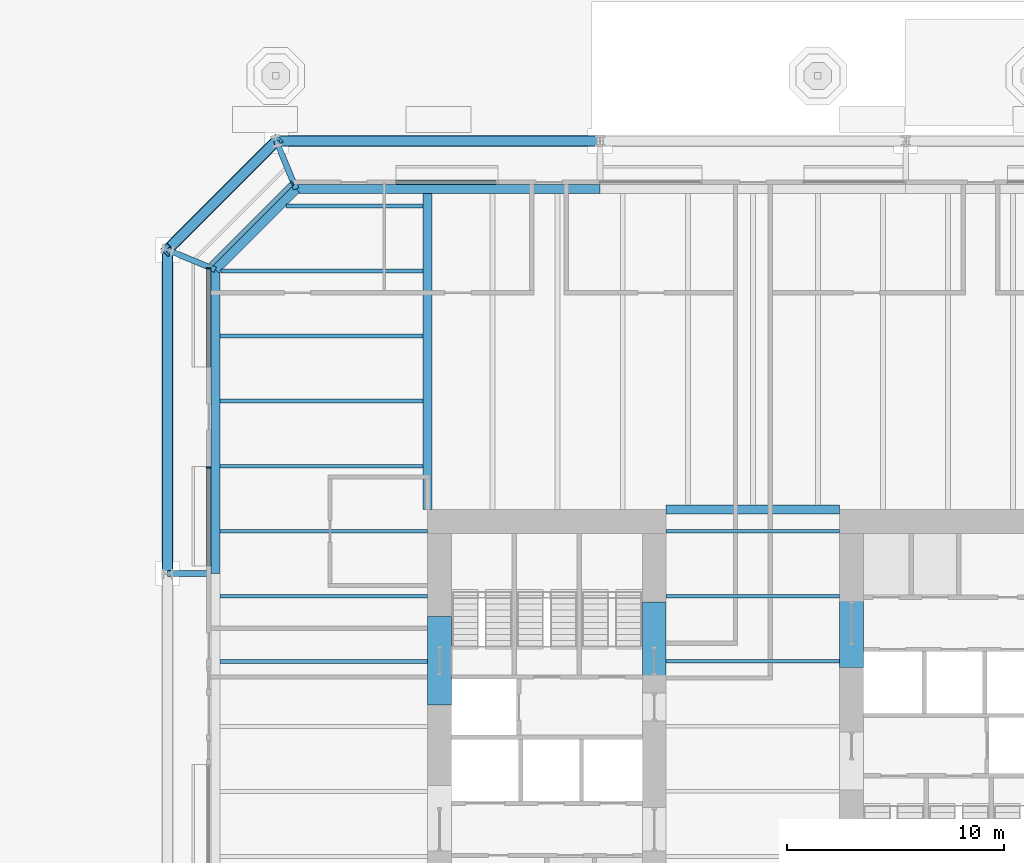
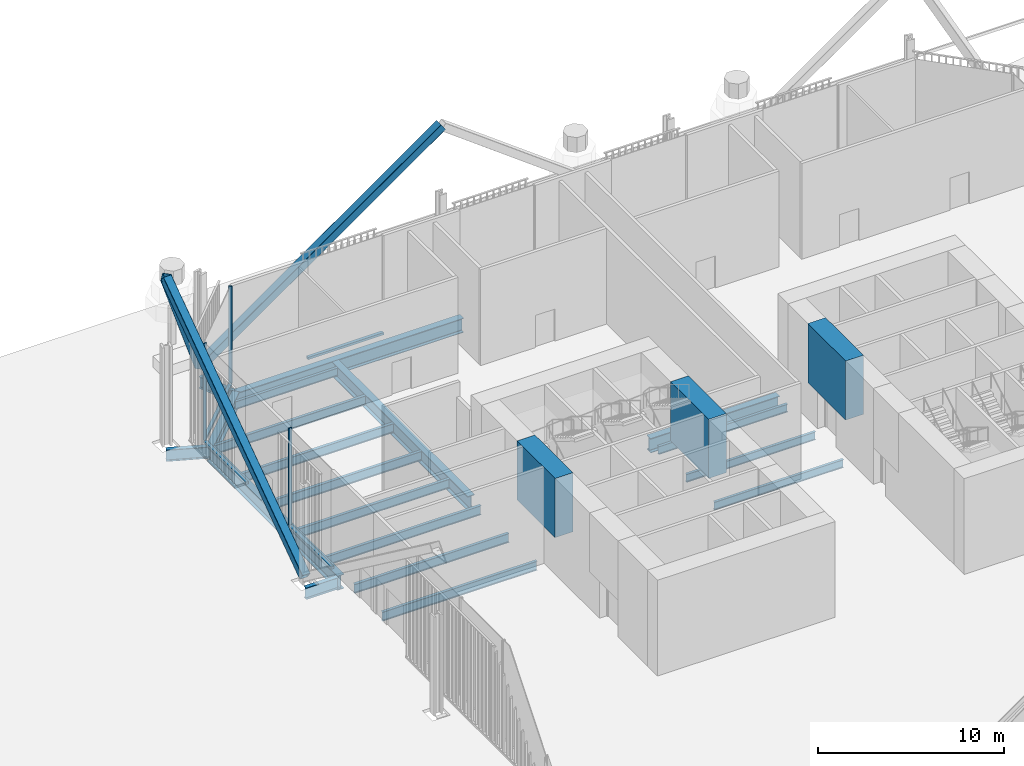
# One storey, part 9 of 28: 22 beams, 10 members, 3 elements without a shape of their own.
"""IFC4 building model written with IfcOpenShell, lengths in metres."""

from ifc_helpers import new_model, si_unit, direction, frame, origin, origin_2d, place, context, subcontext, project, spatial, rectangle, hollow_rectangle, i_section, extrude, material, layer, layer_set, material_profile, profile_set, type_object, element, aggregate, save


model = new_model("IFC4")

# Units and contexts
model_context = context("Model", 3, precision=1e-05, world=origin(), true_north=direction((0.0, 1.0)))
body_context = subcontext(model_context, "Body", "Model", "MODEL_VIEW")
ifc_project = project(units=[si_unit("LENGTHUNIT", "METRE"), si_unit("AREAUNIT", "SQUARE_METRE"), si_unit("VOLUMEUNIT", "CUBIC_METRE"), si_unit("PLANEANGLEUNIT", "RADIAN"), si_unit("MASSUNIT", "GRAM", prefix="KILO")], contexts=[model_context])

# Site, building, storey
site_placement = place(None, origin())
site = spatial("IfcSite", under=ifc_project, at=site_placement, CompositionType="ELEMENT")
building_placement = place(site_placement, origin())
building = spatial("IfcBuilding", under=site, at=building_placement, Name="Millrace Tower", CompositionType="ELEMENT")
storey_placement = place(building_placement, origin())
storey = spatial("IfcBuildingStorey", under=building, at=storey_placement, Name="L01", CompositionType="ELEMENT", Elevation=0.0)

# Curtain wall, member
ifc_material_1 = material(Name="Aluminium and glass", Category="aluminium")
ifc_layer = layer(ifc_material_1, 0.199951171875)
ifc_layer_set = layer_set([ifc_layer], Name="Aluminium and glass")
curtain_wall_type = type_object("IfcCurtainWallType", Name="CW-6 lobby and cascade wing storefront", PredefinedType="NOTDEFINED", material=ifc_layer_set)
placement = place(storey_placement, origin())
curtain_wall_1 = element("IfcCurtainWall", 1, at=placement, inside=storey, type_object=curtain_wall_type, Name="Curtain wall AW1-F05 L01", PredefinedType="NOTDEFINED")
ifc_material_2 = material(Name="Aluminium", Category="aluminium")
ifc_material_profile_1 = material_profile(ifc_material_2, rectangle(XDim=0.074951171875, YDim=0.199951171875, at=origin_2d()))
ifc_profile_set_1 = profile_set([ifc_material_profile_1], Name="Aluminium")
member_type_1 = type_object("IfcMemberType", Name="CW-6 lobby and cascade wing storefront mullion", PredefinedType="MULLION", material=ifc_profile_set_1)
member_1_placement = place(storey_placement, frame((-21.247314453125, 25.044189453125, 0.14990234375), z_axis=(0.0, 0.0, 1.0), x_axis=(-0.707106781187, -0.707106781187, 0.0)))
member_1 = element("IfcMember", 2, at=member_1_placement, type_object=member_type_1, Name="CW6 mullion AW1-F05.1", PredefinedType="MULLION", context=body_context, shape_type="SweptSolid", body=[
    extrude(rectangle(XDim=0.074951171875, YDim=0.199951171875, at=origin_2d()), origin(), (0.0, 0.0, 1.0), 6.35009765625),
])

# Curtain wall, members
curtain_wall_2 = element("IfcCurtainWall", 3, at=placement, inside=storey, type_object=curtain_wall_type, Name="Curtain wall AW1-F06 L01", PredefinedType="NOTDEFINED")
member_2_placement = place(storey_placement, frame((-25.10009765625, 21.112548828125, 0.14990234375), z_axis=(0.0, 0.0, 1.0), x_axis=(0.0, -1.0, 0.0)))
member_2 = element("IfcMember", 4, at=member_2_placement, type_object=member_type_1, Name="CW6 mullion AW1-F06.1", PredefinedType="MULLION", context=body_context, shape_type="SweptSolid", body=[
    extrude(rectangle(XDim=0.074951171875, YDim=0.199951171875, at=origin_2d()), origin(), (0.0, 0.0, 1.0), 6.35009765625),
])
member_3_placement = place(storey_placement, frame((-25.10009765625, 11.94580078125, 0.14990234375), z_axis=(0.0, 0.0, 1.0), x_axis=(0.0, -1.0, 0.0)))
member_3 = element("IfcMember", 5, at=member_3_placement, type_object=member_type_1, Name="CW6 mullion AW1-F06.3", PredefinedType="MULLION", context=body_context, shape_type="SweptSolid", body=[
    extrude(rectangle(XDim=0.074951171875, YDim=0.199951171875, at=origin_2d()), origin(), (0.0, 0.0, 1.0), 6.35009765625),
])

# Curtain wall, member
curtain_wall_3 = element("IfcCurtainWall", 6, at=placement, inside=storey, type_object=curtain_wall_type, Name="Curtain wall AW1-F04 L01", PredefinedType="NOTDEFINED")
ifc_material_3 = material(Name="Aluminium", Category="aluminium")
ifc_material_profile_2 = material_profile(ifc_material_3, rectangle(XDim=0.199951171875, YDim=0.14990234375, at=origin_2d()))
ifc_profile_set_2 = profile_set([ifc_material_profile_2], Name="Aluminium")
member_type_2 = type_object("IfcMemberType", Name="CW-6 lobby and cascade wing storefront transom", PredefinedType="USERDEFINED", material=ifc_profile_set_2)
member_4_placement = place(storey_placement, frame((-11.75, 25.10009765625, 0.074951171875), z_axis=(-1.0, 0.0, 0.0), x_axis=(0.0, -1.0, 0.0)))
member_4 = element("IfcMember", 7, at=member_4_placement, type_object=member_type_2, Name="CW6 transom AW1-F04.4", ObjectType="TRANSOM", PredefinedType="USERDEFINED", context=body_context, shape_type="SweptSolid", body=[
    extrude(rectangle(XDim=0.199951171875, YDim=0.14990234375, at=origin_2d()), origin(), (0.0, 0.0, 1.0), 4.699951171875),
])
aggregate(curtain_wall_3, [member_4])

# Member
member_5_placement = place(storey_placement, frame((-21.29150390625, 25.0, 0.074951171875), z_axis=(-0.707106781187, -0.707106781187, 0.0), x_axis=(0.707106781187, -0.707106781187, 0.0)))
member_5 = element("IfcMember", 8, at=member_5_placement, type_object=member_type_2, Name="CW6 transom AW1-F05.1", ObjectType="TRANSOM", PredefinedType="USERDEFINED", context=body_context, shape_type="SweptSolid", body=[
    extrude(rectangle(XDim=0.199951171875, YDim=0.14990234375, at=origin_2d()), origin(), (0.0, 0.0, 1.0), 5.24462890625),
])

aggregate(curtain_wall_1, [member_1, member_5])

member_6_placement = place(storey_placement, frame((-25.10009765625, 21.050048828125, 0.074951171875), z_axis=(0.0, -1.0, 0.0), x_axis=(1.0, 0.0, 0.0)))
member_6 = element("IfcMember", 9, at=member_6_placement, type_object=member_type_2, Name="CW6 transom AW1-F06.1", ObjectType="TRANSOM", PredefinedType="USERDEFINED", context=body_context, shape_type="SweptSolid", body=[
    extrude(rectangle(XDim=0.199951171875, YDim=0.14990234375, at=origin_2d()), origin(), (0.0, 0.0, 1.0), 4.4833984375),
])

member_7_placement = place(storey_placement, frame((-25.10009765625, 11.9833984375, 0.074951171875), z_axis=(0.0, -1.0, 0.0), x_axis=(1.0, 0.0, 0.0)))
member_7 = element("IfcMember", 10, at=member_7_placement, type_object=member_type_2, Name="CW6 transom AW1-F06.2", ObjectType="TRANSOM", PredefinedType="USERDEFINED", context=body_context, shape_type="SweptSolid", body=[
    extrude(rectangle(XDim=0.199951171875, YDim=0.14990234375, at=origin_2d()), origin(), (0.0, 0.0, 1.0), 4.58349609375),
])

aggregate(curtain_wall_2, [member_2, member_3, member_6, member_7])

# Beams
ifc_material_4 = material(Name="Concrete C80", Category="concrete")
ifc_material_profile_3 = material_profile(ifc_material_4, rectangle(XDim=1.10009765625, YDim=3.875, at=origin_2d()))
ifc_profile_set_3 = profile_set([ifc_material_profile_3], Name="Concrete C80")
beam_type_1 = type_object("IfcBeamType", Name="Coupling beam 1100 x 3875 Concrete C80, 1300 opening", PredefinedType="BEAM", material=ifc_profile_set_3)
for number, where, z_axis, x_axis, name in (
    (11, (-14.449951171875, 0.99560546875, 4.33740234375), (0.0, 1.0, 0.0), (-1.0, 0.0, 0.0), "Coupling beam W L01"),
    (12, (-4.550048828125, 1.674560546875, 4.33740234375), (0.0, 1.0, 0.0), (-1.0, 0.0, 0.0), "Coupling beam W L01"),
):
    element("IfcBeam", number, at=place(storey_placement, frame(where, z_axis=z_axis, x_axis=x_axis)), inside=storey, type_object=beam_type_1, Name=name, PredefinedType="BEAM", context=body_context, shape_type="SweptSolid", body=[
        extrude(rectangle(XDim=1.10009765625, YDim=3.875, at=origin_2d()), origin(), (0.0, 0.0, 1.0), 4.06884765625),
    ])
ifc_material_5 = material(Name="Concrete C80", Category="concrete")
ifc_material_profile_4 = material_profile(ifc_material_5, rectangle(XDim=1.10009765625, YDim=3.875, at=origin_2d()))
ifc_profile_set_4 = profile_set([ifc_material_profile_4], Name="Concrete C80")
beam_type_2 = type_object("IfcBeamType", Name="Coupling beam 1100 x 3875 Concrete C80, 2000 opening", PredefinedType="BEAM", material=ifc_profile_set_4)
beam_1_placement = place(storey_placement, frame((4.550048828125, 6.784423828125, 4.33740234375), z_axis=(0.0, -1.0, 0.0), x_axis=(1.0, 0.0, 0.0)))
element("IfcBeam", 13, at=beam_1_placement, inside=storey, type_object=beam_type_2, Name="Coupling beam E L01", PredefinedType="BEAM", context=body_context, shape_type="SweptSolid", body=[
    extrude(rectangle(XDim=1.10009765625, YDim=3.875, at=origin_2d()), origin(), (0.0, 0.0, 1.0), 4.06884765625),
])

# Members
ifc_material_6 = material(Name="Steel ASTM A500 Grade C", Category="steel")
ifc_material_profile_5 = material_profile(ifc_material_6, hollow_rectangle(XDim=0.508056640625, YDim=0.508056640625, WallThickness=0.022216796875, InnerFilletRadius=0.01123046875, OuterFilletRadius=0.033447265625, at=origin_2d()))
ifc_profile_set_5 = profile_set([ifc_material_profile_5], Name="Steel ASTM A500 Grade C")
member_type_3 = type_object("IfcMemberType", Name="Exoskeleton brace HSS20x20x7/8", PredefinedType="BRACE", material=ifc_profile_set_5)
member_8_placement = place(storey_placement, frame((-21.978515625, 27.0, 0.39990234375), z_axis=(0.817940936421, 0.0, 0.575302202783), x_axis=(0.0, 1.0, 0.0)))
element("IfcMember", 14, at=member_8_placement, inside=storey, type_object=member_type_3, Name="BRC-A-L01-12", PredefinedType="BRACE", context=body_context, shape_type="SweptSolid", body=[
    extrude(hollow_rectangle(XDim=0.508056640625, YDim=0.508056640625, WallThickness=0.022216796875, InnerFilletRadius=0.01123046875, OuterFilletRadius=0.033447265625, at=origin_2d()), origin(), (0.0, 0.0, 1.0), 18.251220703125),
])
member_9_placement = place(storey_placement, frame((-21.978515625, 27.0, 0.39990234375), z_axis=(-0.396141533901, -0.396141533901, 0.828337956535), x_axis=(0.707106781187, -0.707106781187, 0.0)))
element("IfcMember", 15, at=member_9_placement, inside=storey, type_object=member_type_3, Name="BRC-A-L01-13", PredefinedType="BRACE", context=body_context, shape_type="SweptSolid", body=[
    extrude(hollow_rectangle(XDim=0.508056640625, YDim=0.508056640625, WallThickness=0.022216796875, InnerFilletRadius=0.01123046875, OuterFilletRadius=0.033447265625, at=origin_2d()), origin(), (0.0, 0.0, 1.0), 12.676025390625),
])
member_10_placement = place(storey_placement, frame((-27.0, 7.050048828125, 0.39990234375), z_axis=(0.0, 0.817940936421, 0.575302202783), x_axis=(-1.0, 0.0, 0.0)))
element("IfcMember", 16, at=member_10_placement, inside=storey, type_object=member_type_3, Name="BRC-A-L01-14", PredefinedType="BRACE", context=body_context, shape_type="SweptSolid", body=[
    extrude(hollow_rectangle(XDim=0.508056640625, YDim=0.508056640625, WallThickness=0.022216796875, InnerFilletRadius=0.01123046875, OuterFilletRadius=0.033447265625, at=origin_2d()), origin(), (0.0, 0.0, 1.0), 18.251220703125),
])

# Beams
ifc_material_7 = material(Name="Steel ASTM A992 Grade 50", Category="steel")
ifc_material_profile_6 = material_profile(ifc_material_7, i_section(OverallWidth=0.1650390625, OverallDepth=0.52587890625, WebThickness=0.0087890625, FlangeThickness=0.011474609375, FilletRadius=0.0126953125, at=origin_2d()))
ifc_profile_set_6 = profile_set([ifc_material_profile_6], Name="Steel ASTM A992 Grade 50")
beam_type_3 = type_object("IfcBeamType", Name="Floor beam W21x44", PredefinedType="JOIST", material=ifc_profile_set_6)
for number, where, z_axis, x_axis, name in (
    (17, (-4.0, 3.0, -0.56298828125), (1.0, 0.0, 0.0), (0.0, 1.0, 0.0), "BM-A-L01-S1-S023"),
    (18, (-4.0, 6.0, -0.56298828125), (1.0, 0.0, 0.0), (0.0, 1.0, 0.0), "BM-A-L01-S1-S026"),
    (19, (-4.0, 9.0, -0.56298828125), (1.0, 0.0, 0.0), (0.0, 1.0, 0.0), "BM-A-L01-S1-S029"),
):
    element("IfcBeam", number, at=place(storey_placement, frame(where, z_axis=z_axis, x_axis=x_axis)), inside=storey, type_object=beam_type_3, Name=name, PredefinedType="JOIST", context=body_context, shape_type="SweptSolid", body=[
        extrude(i_section(OverallWidth=0.1650390625, OverallDepth=0.52587890625, WebThickness=0.0087890625, FlangeThickness=0.011474609375, FilletRadius=0.0126953125, at=origin_2d()), origin(), (0.0, 0.0, 1.0), 8.0),
    ])
beam_2_placement = place(storey_placement, frame((-21.53369140625, 24.0, -0.56298828125), z_axis=(1.0, 0.0, 0.0), x_axis=(0.0, 1.0, 0.0)))
element("IfcBeam", 20, at=beam_2_placement, inside=storey, type_object=beam_type_3, Name="BM-A-L01-S1-S040", PredefinedType="JOIST", context=body_context, shape_type="SweptSolid", body=[
    extrude(i_section(OverallWidth=0.1650390625, OverallDepth=0.52587890625, WebThickness=0.0087890625, FlangeThickness=0.011474609375, FilletRadius=0.0126953125, at=origin_2d()), origin(), (0.0, 0.0, 1.0), 6.321533203125),
])
ifc_material_8 = material(Name="Steel ASTM A992 Grade 50", Category="steel")
ifc_material_profile_7 = material_profile(ifc_material_8, i_section(OverallWidth=0.177978515625, OverallDepth=0.599365234375, WebThickness=0.010009765625, FlangeThickness=0.012939453125, FilletRadius=0.012939453125, at=origin_2d()))
ifc_profile_set_7 = profile_set([ifc_material_profile_7], Name="Steel ASTM A992 Grade 50")
beam_type_4 = type_object("IfcBeamType", Name="Floor beam W24x55", PredefinedType="JOIST", material=ifc_profile_set_7)
for number, where, z_axis, x_axis, name in (
    (21, (-24.578369140625, 3.0, -0.599609375), (1.0, 0.0, 0.0), (0.0, 1.0, 0.0), "BM-A-L01-S1-S024"),
    (22, (-24.578369140625, 6.0, -0.599609375), (1.0, 0.0, 0.0), (0.0, 1.0, 0.0), "BM-A-L01-S1-S027"),
    (23, (-24.578369140625, 9.0, -0.599609375), (1.0, 0.0, 0.0), (0.0, 1.0, 0.0), "BM-A-L01-S1-S030"),
):
    element("IfcBeam", number, at=place(storey_placement, frame(where, z_axis=z_axis, x_axis=x_axis)), inside=storey, type_object=beam_type_4, Name=name, PredefinedType="JOIST", context=body_context, shape_type="SweptSolid", body=[
        extrude(i_section(OverallWidth=0.177978515625, OverallDepth=0.599365234375, WebThickness=0.010009765625, FlangeThickness=0.012939453125, FilletRadius=0.012939453125, at=origin_2d()), origin(), (0.0, 0.0, 1.0), 9.578369140625),
    ])
for number, where, z_axis, x_axis, name in (
    (24, (-24.578369140625, 12.0, -0.599609375), (1.0, 0.0, 0.0), (0.0, 1.0, 0.0), "BM-A-L01-S1-S032"),
    (25, (-24.578369140625, 15.0, -0.599609375), (1.0, 0.0, 0.0), (0.0, 1.0, 0.0), "BM-A-L01-S1-S034"),
    (26, (-24.578369140625, 18.0, -0.599609375), (1.0, 0.0, 0.0), (0.0, 1.0, 0.0), "BM-A-L01-S1-S036"),
):
    element("IfcBeam", number, at=place(storey_placement, frame(where, z_axis=z_axis, x_axis=x_axis)), inside=storey, type_object=beam_type_4, Name=name, PredefinedType="JOIST", context=body_context, shape_type="SweptSolid", body=[
        extrude(i_section(OverallWidth=0.177978515625, OverallDepth=0.599365234375, WebThickness=0.010009765625, FlangeThickness=0.012939453125, FilletRadius=0.012939453125, at=origin_2d()), origin(), (0.0, 0.0, 1.0), 9.3662109375),
    ])
beam_3_placement = place(storey_placement, frame((-24.52978515625, 21.0, -0.599609375), z_axis=(1.0, 0.0, 0.0), x_axis=(0.0, 1.0, 0.0)))
element("IfcBeam", 27, at=beam_3_placement, inside=storey, type_object=beam_type_4, Name="BM-A-L01-S1-S038", PredefinedType="JOIST", context=body_context, shape_type="SweptSolid", body=[
    extrude(i_section(OverallWidth=0.177978515625, OverallDepth=0.599365234375, WebThickness=0.010009765625, FlangeThickness=0.012939453125, FilletRadius=0.012939453125, at=origin_2d()), origin(), (0.0, 0.0, 1.0), 9.317626953125),
])
ifc_material_9 = material(Name="Steel ASTM A992 Grade 50", Category="steel")
ifc_material_profile_8 = material_profile(ifc_material_9, i_section(OverallWidth=0.424072265625, OverallDepth=0.947509765625, WebThickness=0.02392578125, FlangeThickness=0.042724609375, FilletRadius=0.024169921875, at=origin_2d()))
ifc_profile_set_8 = profile_set([ifc_material_profile_8], Name="Steel ASTM A992 Grade 50")
beam_type_5 = type_object("IfcBeamType", Name="Girder medium span W36x302", PredefinedType="BEAM", material=ifc_profile_set_8)
beam_4_placement = place(storey_placement, frame((-15.0, 10.0, -0.773681640625), z_axis=(0.0, 1.0, 0.0), x_axis=(-1.0, 0.0, 0.0)))
element("IfcBeam", 28, at=beam_4_placement, inside=storey, type_object=beam_type_5, Name="BM-A-L01-S1-G060", PredefinedType="BEAM", context=body_context, shape_type="SweptSolid", body=[
    extrude(i_section(OverallWidth=0.424072265625, OverallDepth=0.947509765625, WebThickness=0.02392578125, FlangeThickness=0.042724609375, FilletRadius=0.024169921875, at=origin_2d()), origin(), (0.0, 0.0, 1.0), 14.578369140625),
])
ifc_material_10 = material(Name="Steel ASTM A992 Grade 50", Category="steel")
ifc_material_profile_9 = material_profile(ifc_material_10, i_section(OverallWidth=0.424072265625, OverallDepth=0.947509765625, WebThickness=0.02392578125, FlangeThickness=0.042724609375, FilletRadius=0.024169921875, at=origin_2d()))
ifc_profile_set_9 = profile_set([ifc_material_profile_9], Name="Steel ASTM A992 Grade 50")
beam_type_6 = type_object("IfcBeamType", Name="Girder short span W36x302", PredefinedType="BEAM", material=ifc_profile_set_9)
beam_5_placement = place(storey_placement, frame((-4.0, 10.0, -0.773681640625), z_axis=(1.0, 0.0, 0.0), x_axis=(0.0, 1.0, 0.0)))
element("IfcBeam", 29, at=beam_5_placement, inside=storey, type_object=beam_type_6, Name="BM-A-L01-S1-G064", PredefinedType="BEAM", context=body_context, shape_type="SweptSolid", body=[
    extrude(i_section(OverallWidth=0.424072265625, OverallDepth=0.947509765625, WebThickness=0.02392578125, FlangeThickness=0.042724609375, FilletRadius=0.024169921875, at=origin_2d()), origin(), (0.0, 0.0, 1.0), 8.0),
])
ifc_material_11 = material(Name="Steel ASTM A992 Grade 50", Category="steel")
ifc_material_profile_10 = material_profile(ifc_material_11, i_section(OverallWidth=0.2666015625, OverallDepth=0.7568359375, WebThickness=0.013916015625, FlangeThickness=0.019287109375, FilletRadius=0.0166015625, at=origin_2d()))
ifc_profile_set_10 = profile_set([ifc_material_profile_10], Name="Steel ASTM A992 Grade 50")
beam_type_7 = type_object("IfcBeamType", Name="Link beam W30x108", PredefinedType="BEAM", material=ifc_profile_set_10)
beam_6_placement = place(storey_placement, frame((-25.0, 7.050048828125, -0.678466796875), z_axis=(-1.0, 0.0, 0.0), x_axis=(0.0, -1.0, 0.0)))
element("IfcBeam", 30, at=beam_6_placement, inside=storey, type_object=beam_type_7, Name="LNK-A-L01-S1-03", PredefinedType="BEAM", context=body_context, shape_type="SweptSolid", body=[
    extrude(i_section(OverallWidth=0.2666015625, OverallDepth=0.7568359375, WebThickness=0.013916015625, FlangeThickness=0.019287109375, FilletRadius=0.0166015625, at=origin_2d()), origin(), (0.0, 0.0, 1.0), 2.0),
])
for number, where, z_axis, x_axis, name in (
    (31, (-24.7890625, 21.062744140625, -0.678466796875), (-0.923883789366, 0.382673155247, 0.0), (-0.382673155247, -0.923883789366, 0.0), "LNK-A-L01-S1-04"),
    (32, (-21.062744140625, 24.7890625, -0.678466796875), (-0.382673155247, 0.923883789366, 0.0), (-0.923883789366, -0.382673155247, 0.0), "LNK-A-L01-S1-05"),
):
    element("IfcBeam", number, at=place(storey_placement, frame(where, z_axis=z_axis, x_axis=x_axis)), inside=storey, type_object=beam_type_7, Name=name, PredefinedType="BEAM", context=body_context, shape_type="SweptSolid", body=[
        extrude(i_section(OverallWidth=0.2666015625, OverallDepth=0.7568359375, WebThickness=0.013916015625, FlangeThickness=0.019287109375, FilletRadius=0.0166015625, at=origin_2d()), origin(), (0.0, 0.0, 1.0), 2.39306640625),
    ])
ifc_material_12 = material(Name="Steel ASTM A992 Grade 50", Category="steel")
ifc_material_profile_11 = material_profile(ifc_material_12, i_section(OverallWidth=0.421630859375, OverallDepth=0.937255859375, WebThickness=0.021240234375, FlangeThickness=0.03662109375, FilletRadius=0.024169921875, at=origin_2d()))
ifc_profile_set_11 = profile_set([ifc_material_profile_11], Name="Steel ASTM A992 Grade 50")
beam_type_8 = type_object("IfcBeamType", Name="Ring beam medium span W36x262", PredefinedType="SPANDREL", material=ifc_profile_set_11)
for number, where, z_axis, x_axis, name in (
    (33, (-24.7890625, 7.050048828125, -0.7685546875), (0.0, 1.0, 0.0), (-1.0, 0.0, 0.0), "RNG-A-L01-S1-03"),
    (34, (-21.062744140625, 24.7890625, -0.7685546875), (1.0, 0.0, 0.0), (0.0, 1.0, 0.0), "RNG-A-L01-S1-05"),
):
    element("IfcBeam", number, at=place(storey_placement, frame(where, z_axis=z_axis, x_axis=x_axis)), inside=storey, type_object=beam_type_8, Name=name, PredefinedType="SPANDREL", context=body_context, shape_type="SweptSolid", body=[
        extrude(i_section(OverallWidth=0.421630859375, OverallDepth=0.937255859375, WebThickness=0.021240234375, FlangeThickness=0.03662109375, FilletRadius=0.024169921875, at=origin_2d()), origin(), (0.0, 0.0, 1.0), 14.0126953125),
    ])
ifc_material_13 = material(Name="Steel ASTM A992 Grade 50", Category="steel")
ifc_material_profile_12 = material_profile(ifc_material_13, i_section(OverallWidth=0.421630859375, OverallDepth=0.937255859375, WebThickness=0.021240234375, FlangeThickness=0.03662109375, FilletRadius=0.024169921875, at=origin_2d()))
ifc_profile_set_12 = profile_set([ifc_material_profile_12], Name="Steel ASTM A992 Grade 50")
beam_type_9 = type_object("IfcBeamType", Name="Ring beam short span W36x262", PredefinedType="SPANDREL", material=ifc_profile_set_12)
beam_7_placement = place(storey_placement, frame((-24.7890625, 21.062744140625, -0.7685546875), z_axis=(0.707106781187, 0.707106781187, 0.0), x_axis=(-0.707106781187, 0.707106781187, 0.0)))
element("IfcBeam", 35, at=beam_7_placement, inside=storey, type_object=beam_type_9, Name="RNG-A-L01-S1-04", PredefinedType="SPANDREL", context=body_context, shape_type="SweptSolid", body=[
    extrude(i_section(OverallWidth=0.421630859375, OverallDepth=0.937255859375, WebThickness=0.021240234375, FlangeThickness=0.03662109375, FilletRadius=0.024169921875, at=origin_2d()), origin(), (0.0, 0.0, 1.0), 5.269775390625),
])

save(model, "model.ifc")
